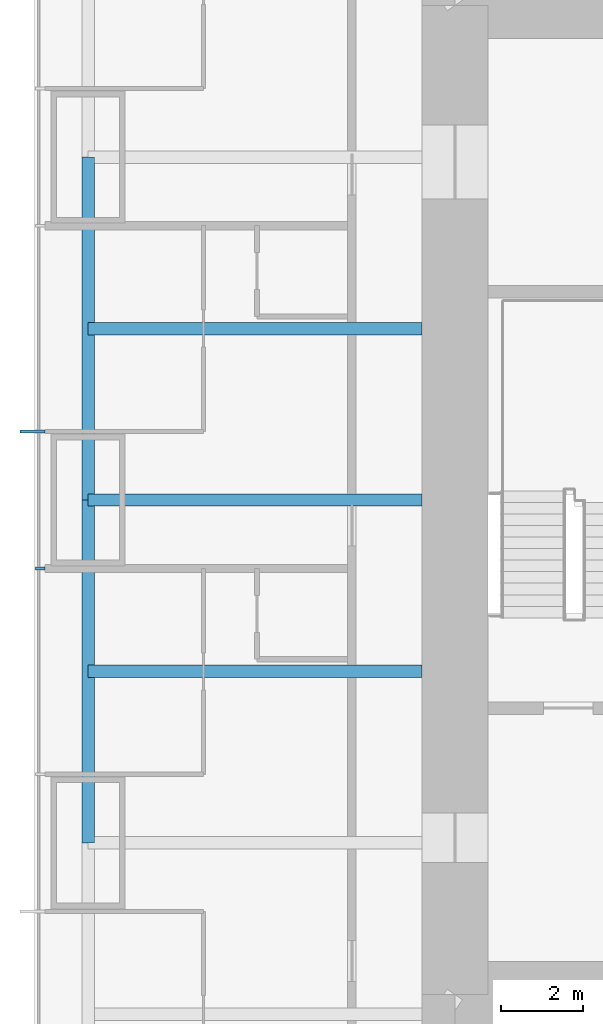
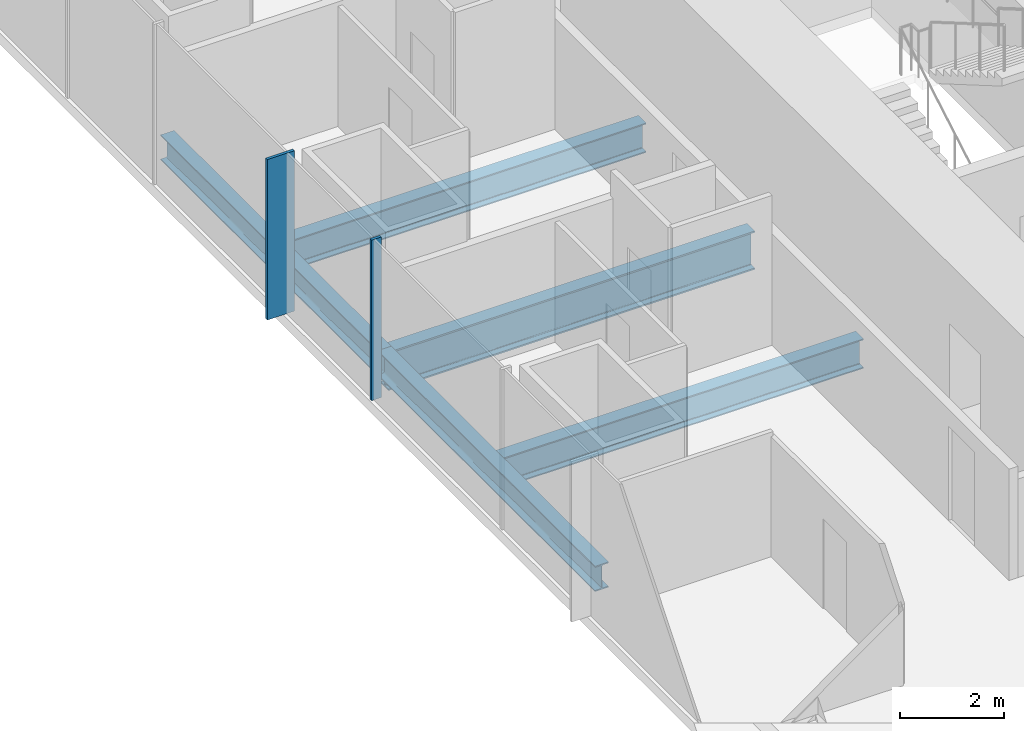
# One storey, part 3 of 13: 5 beams, 2 members, 1 element without a shape of its own.
"""IFC4 building model written with IfcOpenShell, lengths in metres."""

from ifc_helpers import new_model, si_unit, direction, frame, origin, origin_2d, place, context, subcontext, project, spatial, rectangle, i_section, extrude, material, material_profile, profile_set, type_object, element, aggregate, save


model = new_model("IFC4")

# Units and contexts
model_context = context("Model", 3, precision=1e-05, world=origin(), true_north=direction((0.0, 1.0)))
body_context = subcontext(model_context, "Body", "Model", "MODEL_VIEW")
ifc_project = project(units=[si_unit("LENGTHUNIT", "METRE"), si_unit("AREAUNIT", "SQUARE_METRE"), si_unit("VOLUMEUNIT", "CUBIC_METRE"), si_unit("PLANEANGLEUNIT", "RADIAN"), si_unit("MASSUNIT", "GRAM", prefix="KILO")], contexts=[model_context])

# Site, building, storey
site_placement = place(None, origin())
site = spatial("IfcSite", under=ifc_project, at=site_placement, CompositionType="ELEMENT")
building_placement = place(site_placement, origin())
building = spatial("IfcBuilding", under=site, at=building_placement, Name="Khuree Lantern Residences", CompositionType="ELEMENT")
storey_placement = place(building_placement, frame((0.0, 0.0, 263.25)))
storey = spatial("IfcBuildingStorey", under=building, at=storey_placement, Name="L66", CompositionType="ELEMENT", Elevation=263.25)

# Beams
ifc_material_1 = material(Name="Steel S355", Category="steel")
ifc_material_profile_1 = material_profile(ifc_material_1, i_section(OverallWidth=0.300048828125, OverallDepth=0.68994140625, WebThickness=0.014404296875, FlangeThickness=0.027099609375, FilletRadius=0.027099609375, at=origin_2d()), Name="HE 700 A")
ifc_profile_set_1 = profile_set([ifc_material_profile_1], Name="Steel S355")
beam_type_1 = type_object("IfcBeamType", Name="B-35 SECONDARY BEAM HE 700 A", PredefinedType="BEAM", material=ifc_profile_set_1)
for number, where, z_axis, x_axis, name in (
    (1, (-24.39990234375, -4.159912109375, -0.594970703125), (1.0, 0.0, 0.0), (0.0, 1.0, 0.0), "Secondary beam W3"),
    (2, (-24.39990234375, 4.159912109375, -0.594970703125), (1.0, 0.0, 0.0), (0.0, 1.0, 0.0), "Secondary beam W4"),
):
    element("IfcBeam", number, at=place(storey_placement, frame(where, z_axis=z_axis, x_axis=x_axis)), inside=storey, type_object=beam_type_1, Name=name, PredefinedType="BEAM", context=body_context, shape_type="SweptSolid", body=[
        extrude(i_section(OverallWidth=0.300048828125, OverallDepth=0.68994140625, WebThickness=0.014404296875, FlangeThickness=0.027099609375, FilletRadius=0.027099609375, at=origin_2d()), origin(), (0.0, 0.0, 1.0), 8.099853515625),
    ])
ifc_material_profile_2 = material_profile(ifc_material_1, i_section(OverallWidth=0.300048828125, OverallDepth=0.590087890625, WebThickness=0.012939453125, FlangeThickness=0.02490234375, FilletRadius=0.027099609375, at=origin_2d()), Name="HE 600 A")
ifc_profile_set_2 = profile_set([ifc_material_profile_2], Name="Steel S355")
beam_type_2 = type_object("IfcBeamType", Name="E-35 SPANDREL BEAM HE 600 A", PredefinedType="SPANDREL", material=ifc_profile_set_2)
for number, where, z_axis, x_axis, name in (
    (3, (-24.39990234375, -8.320068359375, -0.544921875), (0.0, 1.0, 0.0), (-1.0, 0.0, 0.0), "Spandrel beam W3"),
    (4, (-24.39990234375, 0.0, -0.544921875), (0.0, 1.0, 0.0), (-1.0, 0.0, 0.0), "Spandrel beam W4"),
):
    element("IfcBeam", number, at=place(storey_placement, frame(where, z_axis=z_axis, x_axis=x_axis)), inside=storey, type_object=beam_type_2, Name=name, PredefinedType="SPANDREL", context=body_context, shape_type="SweptSolid", body=[
        extrude(i_section(OverallWidth=0.300048828125, OverallDepth=0.590087890625, WebThickness=0.012939453125, FlangeThickness=0.02490234375, FilletRadius=0.027099609375, at=origin_2d()), origin(), (0.0, 0.0, 1.0), 8.320068359375),
    ])

# Curtain wall, member
ifc_material_2 = material(Name="Bronze anodised aluminium", Category="aluminium")
curtain_wall_type = type_object("IfcCurtainWallType", Name="CW-T1 TOWER FACE CURTAIN WALL", PredefinedType="USERDEFINED", material=ifc_material_2)
curtain_wall_placement = place(storey_placement, origin())
curtain_wall = element("IfcCurtainWall", 5, at=curtain_wall_placement, inside=storey, type_object=curtain_wall_type, Name="L66 WEST FACE CURTAIN WALL", ObjectType="Stick-built curtain wall", PredefinedType="USERDEFINED")
ifc_material_profile_3 = material_profile(ifc_material_2, rectangle(XDim=0.06494140625, YDim=0.60009765625, at=origin_2d()), Name="F1 65X600")
ifc_profile_set_3 = profile_set([ifc_material_profile_3], Name="Bronze anodised aluminium")
member_type_1 = type_object("IfcMemberType", Name="F1 BRONZE FIN MULLION TOWER 65X600", PredefinedType="MULLION", material=ifc_profile_set_3)
member_1_placement = place(storey_placement, frame((-25.75, 1.6640625, 0.0), z_axis=(0.0, 0.0, 1.0), x_axis=(0.0, -1.0, 0.0)))
member_1 = element("IfcMember", 6, at=member_1_placement, type_object=member_type_1, Name="L66 WEST FACE FIN MULLION 37", PredefinedType="MULLION", context=body_context, shape_type="SweptSolid", body=[
    extrude(rectangle(XDim=0.06494140625, YDim=0.60009765625, at=origin_2d()), origin(), (0.0, 0.0, 1.0), 3.75),
])

# Beam
ifc_material_profile_4 = material_profile(ifc_material_1, i_section(OverallWidth=0.300048828125, OverallDepth=0.89990234375, WebThickness=0.0185546875, FlangeThickness=0.034912109375, FilletRadius=0.030029296875, at=origin_2d()), Name="HE 900 B")
ifc_profile_set_4 = profile_set([ifc_material_profile_4], Name="Steel S355")
beam_type_3 = type_object("IfcBeamType", Name="G-35 GIRDER HE 900 B", PredefinedType="BEAM", material=ifc_profile_set_4)
beam_placement = place(storey_placement, frame((-24.39990234375, 0.0, -0.699951171875), z_axis=(1.0, 0.0, 0.0), x_axis=(0.0, 1.0, 0.0)))
element("IfcBeam", 7, at=beam_placement, inside=storey, type_object=beam_type_3, Name="Girder W3", PredefinedType="BEAM", context=body_context, shape_type="SweptSolid", body=[
    extrude(i_section(OverallWidth=0.300048828125, OverallDepth=0.89990234375, WebThickness=0.0185546875, FlangeThickness=0.034912109375, FilletRadius=0.030029296875, at=origin_2d()), origin(), (0.0, 0.0, 1.0), 8.099853515625),
])

# Member
ifc_material_profile_5 = material_profile(ifc_material_2, rectangle(XDim=0.06494140625, YDim=0.219970703125, at=origin_2d()), Name="M1 65X220")
ifc_profile_set_5 = profile_set([ifc_material_profile_5], Name="Bronze anodised aluminium")
member_type_2 = type_object("IfcMemberType", Name="M1 BRONZE MULLION TOWER 65X220", PredefinedType="MULLION", material=ifc_profile_set_5)
member_2_placement = place(storey_placement, frame((-25.56005859375, -1.6640625, 0.0), z_axis=(0.0, 0.0, 1.0), x_axis=(0.0, -1.0, 0.0)))
member_2 = element("IfcMember", 8, at=member_2_placement, type_object=member_type_2, Name="L66 WEST FACE MULLION 38", PredefinedType="MULLION", context=body_context, shape_type="SweptSolid", body=[
    extrude(rectangle(XDim=0.06494140625, YDim=0.219970703125, at=origin_2d()), origin(), (0.0, 0.0, 1.0), 3.75),
])

aggregate(curtain_wall, [member_1, member_2])

save(model, "model.ifc")
